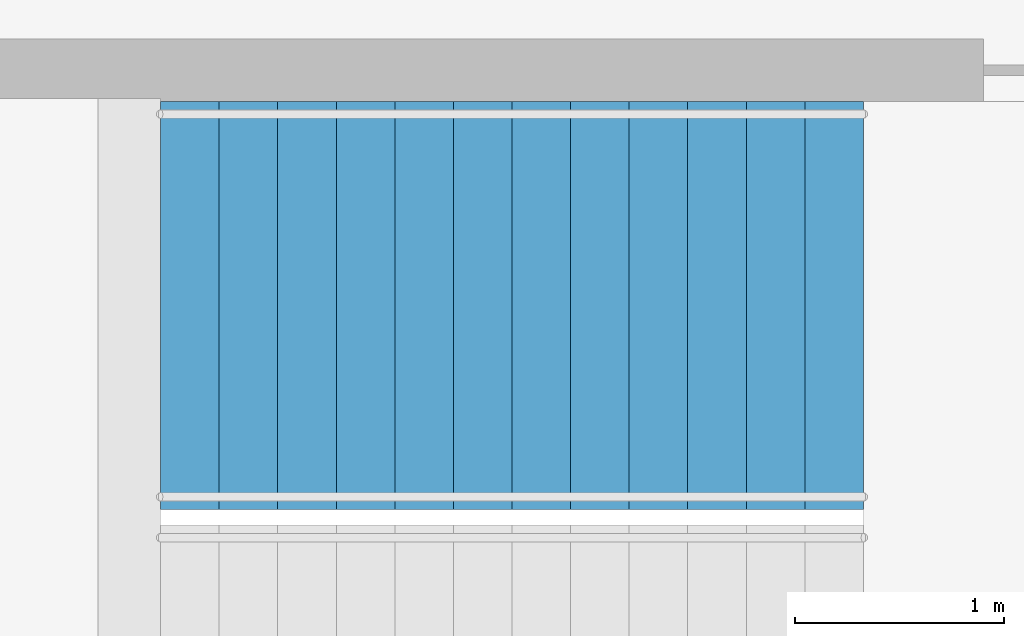
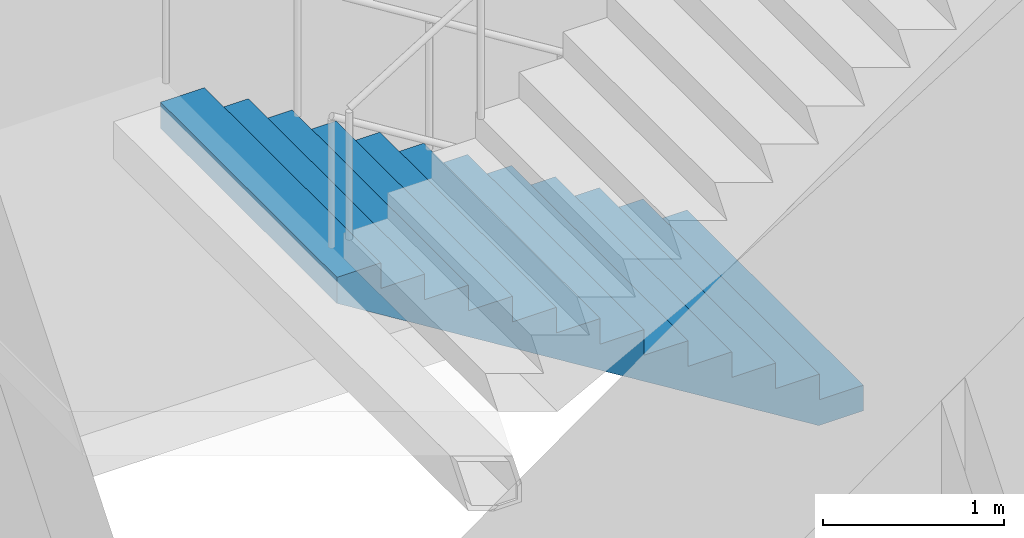
# One storey, part 21 of 31: 1 stair flight, 1 element without a shape of its own.
"""IFC4 building model written with IfcOpenShell, lengths in metres."""

from ifc_helpers import new_model, si_unit, direction, frame, origin, place, context, subcontext, project, spatial, triangles, material, type_object, element, aggregate, save


model = new_model("IFC4")

# Units and contexts
model_context = context("Model", 3, precision=1e-05, world=origin(), true_north=direction((0.0, 1.0)))
body_context = subcontext(model_context, "Body", "Model", "MODEL_VIEW")
ifc_project = project(units=[si_unit("LENGTHUNIT", "METRE"), si_unit("AREAUNIT", "SQUARE_METRE"), si_unit("VOLUMEUNIT", "CUBIC_METRE"), si_unit("PLANEANGLEUNIT", "RADIAN"), si_unit("MASSUNIT", "GRAM", prefix="KILO")], contexts=[model_context])

# Site, building, storey
site_placement = place(None, origin())
site = spatial("IfcSite", under=ifc_project, at=site_placement, CompositionType="ELEMENT")
building_placement = place(site_placement, origin())
building = spatial("IfcBuilding", under=site, at=building_placement, Name="Orbita Commons", CompositionType="ELEMENT")
storey_placement = place(building_placement, frame((0.0, 0.0, 76.14990234375)))
storey = spatial("IfcBuildingStorey", under=building, at=storey_placement, Name="L18", CompositionType="ELEMENT", Elevation=76.14990234375)

# Stair, stair flight
ifc_material_1 = material(Name="Precast concrete C40/50", Category="concrete")
stair_type = type_object("IfcStairType", Name="Exit stair S2 2 flights 13 risers 173", PredefinedType="HALF_TURN_STAIR", material=ifc_material_1)
stair_placement = place(storey_placement, origin())
stair = element("IfcStair", 1, at=stair_placement, inside=storey, type_object=stair_type, Name="Exit stair S2 L18", PredefinedType="HALF_TURN_STAIR")
ifc_material_2 = material(Name="Precast concrete C40/50", Category="concrete")
stair_flight_type = type_object("IfcStairFlightType", Name="Stair flight 13 risers 173 x 280", PredefinedType="STRAIGHT", material=ifc_material_2)
stair_flight_placement = place(storey_placement, frame((63.550048828125, 29.27490234375, 0.0), z_axis=(0.0, 0.0, 1.0), x_axis=(-1.0, 0.0, 0.0)))
stair_flight = element("IfcStairFlight", 2, at=stair_flight_placement, type_object=stair_flight_type, Name="S2 flight 1", NumberOfRisers=13, NumberOfTreads=12, PredefinedType="STRAIGHT", RiserHeight=0.173076923, TreadLength=0.28, context=body_context, shape_type="Tessellation", body=[
    triangles([(0.0, 0.974976, 0.0), (0.0, 0.974976, 0.021635), (0.0, 0.81248, 0.021635), (0.0, 0.81248, 0.0), (0.0, 0.649984, 0.021635), (0.0, 0.649984, 0.0), (0.0, 0.487488, 0.021635), (0.0, 0.487488, 0.0), (0.0, 0.324992, 0.021635), (0.0, 0.324992, 0.0), (0.0, 0.162496, 0.021635), (0.0, 0.162496, 0.0), (0.0, 0.0, 0.021635), (0.0, 0.0, 0.0), (0.0, -0.162496, 0.021635), (0.0, -0.162496, 0.0), (0.0, -0.324992, 0.021635), (0.0, -0.324992, 0.0), (0.0, -0.487488, 0.021635), (0.0, -0.487488, 0.0), (0.0, -0.649984, 0.021635), (0.0, -0.649984, 0.0), (0.0, -0.81248, 0.021635), (0.0, -0.81248, 0.0), (0.0, -0.974976, 0.021635), (0.0, -0.974976, 0.0), (0.0, 0.974976, 0.043269), (0.0, 0.81248, 0.043269), (0.0, 0.649984, 0.043269), (0.0, 0.487488, 0.043269), (0.0, 0.324992, 0.043269), (0.0, 0.162496, 0.043269), (0.0, 0.0, 0.043269), (0.0, -0.162496, 0.043269), (0.0, -0.324992, 0.043269), (0.0, -0.487488, 0.043269), (0.0, -0.649984, 0.043269), (0.0, -0.81248, 0.043269), (0.0, -0.974976, 0.043269), (0.0, 0.974976, 0.064904), (0.0, 0.81248, 0.064904), (0.0, 0.649984, 0.064904), (0.0, 0.487488, 0.064904), (0.0, 0.324992, 0.064904), (0.0, 0.162496, 0.064904), (0.0, 0.0, 0.064904), (0.0, -0.162496, 0.064904), (0.0, -0.324992, 0.064904), (0.0, -0.487488, 0.064904), (0.0, -0.649984, 0.064904), (0.0, -0.81248, 0.064904), (0.0, -0.974976, 0.064904), (0.0, 0.974976, 0.086538), (0.0, 0.81248, 0.086538), (0.0, 0.649984, 0.086538), (0.0, 0.487488, 0.086538), (0.0, 0.324992, 0.086538), (0.0, 0.162496, 0.086538), (0.0, 0.0, 0.086538), (0.0, -0.162496, 0.086538), (0.0, -0.324992, 0.086538), (0.0, -0.487488, 0.086538), (0.0, -0.649984, 0.086538), (0.0, -0.81248, 0.086538), (0.0, -0.974976, 0.086538), (0.0, 0.974976, 0.108173), (0.0, 0.81248, 0.108173), (0.0, 0.649984, 0.108173), (0.0, 0.487488, 0.108173), (0.0, 0.324992, 0.108173), (0.0, 0.162496, 0.108173), (0.0, 0.0, 0.108173), (0.0, -0.162496, 0.108173), (0.0, -0.324992, 0.108173), (0.0, -0.487488, 0.108173), (0.0, -0.649984, 0.108173), (0.0, -0.81248, 0.108173), (0.0, -0.974976, 0.108173), (0.0, 0.974976, 0.129808), (0.0, 0.81248, 0.129808), (0.0, 0.649984, 0.129808), (0.0, 0.487488, 0.129808), (0.0, 0.324992, 0.129808), (0.0, 0.162496, 0.129808), (0.0, 0.0, 0.129808), (0.0, -0.162496, 0.129808), (0.0, -0.324992, 0.129808), (0.0, -0.487488, 0.129808), (0.0, -0.649984, 0.129808), (0.0, -0.81248, 0.129808), (0.0, -0.974976, 0.129808), (0.0, 0.974976, 0.151442), (0.0, 0.81248, 0.151442), (0.0, 0.649984, 0.151442), (0.0, 0.487488, 0.151442), (0.0, 0.324992, 0.151442), (0.0, 0.162496, 0.151442), (0.0, 0.0, 0.151442), (0.0, -0.162496, 0.151442), (0.0, -0.324992, 0.151442), (0.0, -0.487488, 0.151442), (0.0, -0.649984, 0.151442), (0.0, -0.81248, 0.151442), (0.0, -0.974976, 0.151442), (0.0, 0.974976, 0.173077), (0.0, 0.81248, 0.173077), (0.0, 0.649984, 0.173077), (0.0, 0.487488, 0.173077), (0.0, 0.324992, 0.173077), (0.0, 0.162496, 0.173077), (0.0, 0.0, 0.173077), (0.0, -0.162496, 0.173077), (0.0, -0.324992, 0.173077), (0.0, -0.487488, 0.173077), (0.0, -0.649984, 0.173077), (0.0, -0.81248, 0.173077), (0.0, -0.974976, 0.173077), (0.28, 0.974976, 0.173077), (0.28, 0.81248, 0.173077), (0.28, 0.649984, 0.173077), (0.28, 0.487488, 0.173077), (0.28, 0.324992, 0.173077), (0.28, 0.162496, 0.173077), (0.28, 0.0, 0.173077), (0.28, -0.162496, 0.173077), (0.28, -0.324992, 0.173077), (0.28, -0.487488, 0.173077), (0.28, -0.649984, 0.173077), (0.28, -0.81248, 0.173077), (0.28, -0.974976, 0.173077), (0.28, 0.974976, 0.346154), (0.28, 0.81248, 0.346154), (0.28, 0.649984, 0.346154), (0.28, 0.487488, 0.346154), (0.28, 0.324992, 0.346154), (0.28, 0.162496, 0.346154), (0.28, 0.0, 0.346154), (0.28, -0.162496, 0.346154), (0.28, -0.324992, 0.346154), (0.28, -0.487488, 0.346154), (0.28, -0.649984, 0.346154), (0.28, -0.81248, 0.346154), (0.28, -0.974976, 0.346154), (0.56, 0.974976, 0.346154), (0.56, 0.81248, 0.346154), (0.56, 0.649984, 0.346154), (0.56, 0.487488, 0.346154), (0.56, 0.324992, 0.346154), (0.56, 0.162496, 0.346154), (0.56, 0.0, 0.346154), (0.56, -0.162496, 0.346154), (0.56, -0.324992, 0.346154), (0.56, -0.487488, 0.346154), (0.56, -0.649984, 0.346154), (0.56, -0.81248, 0.346154), (0.56, -0.974976, 0.346154), (0.56, 0.974976, 0.519231), (0.56, 0.81248, 0.519231), (0.56, 0.649984, 0.519231), (0.56, 0.487488, 0.519231), (0.56, 0.324992, 0.519231), (0.56, 0.162496, 0.519231), (0.56, 0.0, 0.519231), (0.56, -0.162496, 0.519231), (0.56, -0.324992, 0.519231), (0.56, -0.487488, 0.519231), (0.56, -0.649984, 0.519231), (0.56, -0.81248, 0.519231), (0.56, -0.974976, 0.519231), (0.84, 0.974976, 0.519231), (0.84, 0.81248, 0.519231), (0.84, 0.649984, 0.519231), (0.84, 0.487488, 0.519231), (0.84, 0.324992, 0.519231), (0.84, 0.162496, 0.519231), (0.84, 0.0, 0.519231), (0.84, -0.162496, 0.519231), (0.84, -0.324992, 0.519231), (0.84, -0.487488, 0.519231), (0.84, -0.649984, 0.519231), (0.84, -0.81248, 0.519231), (0.84, -0.974976, 0.519231), (0.84, 0.974976, 0.692308), (0.84, 0.81248, 0.692308), (0.84, 0.649984, 0.692308), (0.84, 0.487488, 0.692308), (0.84, 0.324992, 0.692308), (0.84, 0.162496, 0.692308), (0.84, 0.0, 0.692308), (0.84, -0.162496, 0.692308), (0.84, -0.324992, 0.692308), (0.84, -0.487488, 0.692308), (0.84, -0.649984, 0.692308), (0.84, -0.81248, 0.692308), (0.84, -0.974976, 0.692308), (1.12, 0.974976, 0.692308), (1.12, 0.81248, 0.692308), (1.12, 0.649984, 0.692308), (1.12, 0.487488, 0.692308), (1.12, 0.324992, 0.692308), (1.12, 0.162496, 0.692308), (1.12, 0.0, 0.692308), (1.12, -0.162496, 0.692308), (1.12, -0.324992, 0.692308), (1.12, -0.487488, 0.692308), (1.12, -0.649984, 0.692308), (1.12, -0.81248, 0.692308), (1.12, -0.974976, 0.692308), (1.12, 0.974976, 0.865385), (1.12, 0.81248, 0.865385), (1.12, 0.649984, 0.865385), (1.12, 0.487488, 0.865385), (1.12, 0.324992, 0.865385), (1.12, 0.162496, 0.865385), (1.12, 0.0, 0.865385), (1.12, -0.162496, 0.865385), (1.12, -0.324992, 0.865385), (1.12, -0.487488, 0.865385), (1.12, -0.649984, 0.865385), (1.12, -0.81248, 0.865385), (1.12, -0.974976, 0.865385), (1.4, 0.974976, 0.865385), (1.4, 0.81248, 0.865385), (1.4, 0.649984, 0.865385), (1.4, 0.487488, 0.865385), (1.4, 0.324992, 0.865385), (1.4, 0.162496, 0.865385), (1.4, 0.0, 0.865385), (1.4, -0.162496, 0.865385), (1.4, -0.324992, 0.865385), (1.4, -0.487488, 0.865385), (1.4, -0.649984, 0.865385), (1.4, -0.81248, 0.865385), (1.4, -0.974976, 0.865385), (1.4, 0.974976, 1.038462), (1.4, 0.81248, 1.038462), (1.4, 0.649984, 1.038462), (1.4, 0.487488, 1.038462), (1.4, 0.324992, 1.038462), (1.4, 0.162496, 1.038462), (1.4, 0.0, 1.038462), (1.4, -0.162496, 1.038462), (1.4, -0.324992, 1.038462), (1.4, -0.487488, 1.038462), (1.4, -0.649984, 1.038462), (1.4, -0.81248, 1.038462), (1.4, -0.974976, 1.038462), (1.68, 0.974976, 1.038462), (1.68, 0.81248, 1.038462), (1.68, 0.649984, 1.038462), (1.68, 0.487488, 1.038462), (1.68, 0.324992, 1.038462), (1.68, 0.162496, 1.038462), (1.68, 0.0, 1.038462), (1.68, -0.162496, 1.038462), (1.68, -0.324992, 1.038462), (1.68, -0.487488, 1.038462), (1.68, -0.649984, 1.038462), (1.68, -0.81248, 1.038462), (1.68, -0.974976, 1.038462), (1.68, 0.974976, 1.211538), (1.68, 0.81248, 1.211538), (1.68, 0.649984, 1.211538), (1.68, 0.487488, 1.211538), (1.68, 0.324992, 1.211538), (1.68, 0.162496, 1.211538), (1.68, 0.0, 1.211538), (1.68, -0.162496, 1.211538), (1.68, -0.324992, 1.211538), (1.68, -0.487488, 1.211538), (1.68, -0.649984, 1.211538), (1.68, -0.81248, 1.211538), (1.68, -0.974976, 1.211538), (1.96, 0.974976, 1.211538), (1.96, 0.81248, 1.211538), (1.96, 0.649984, 1.211538), (1.96, 0.487488, 1.211538), (1.96, 0.324992, 1.211538), (1.96, 0.162496, 1.211538), (1.96, 0.0, 1.211538), (1.96, -0.162496, 1.211538), (1.96, -0.324992, 1.211538), (1.96, -0.487488, 1.211538), (1.96, -0.649984, 1.211538), (1.96, -0.81248, 1.211538), (1.96, -0.974976, 1.211538), (1.96, 0.974976, 1.384615), (1.96, 0.81248, 1.384615), (1.96, 0.649984, 1.384615), (1.96, 0.487488, 1.384615), (1.96, 0.324992, 1.384615), (1.96, 0.162496, 1.384615), (1.96, 0.0, 1.384615), (1.96, -0.162496, 1.384615), (1.96, -0.324992, 1.384615), (1.96, -0.487488, 1.384615), (1.96, -0.649984, 1.384615), (1.96, -0.81248, 1.384615), (1.96, -0.974976, 1.384615), (2.24, 0.974976, 1.384615), (2.24, 0.81248, 1.384615), (2.24, 0.649984, 1.384615), (2.24, 0.487488, 1.384615), (2.24, 0.324992, 1.384615), (2.24, 0.162496, 1.384615), (2.24, 0.0, 1.384615), (2.24, -0.162496, 1.384615), (2.24, -0.324992, 1.384615), (2.24, -0.487488, 1.384615), (2.24, -0.649984, 1.384615), (2.24, -0.81248, 1.384615), (2.24, -0.974976, 1.384615), (2.24, 0.974976, 1.557692), (2.24, 0.81248, 1.557692), (2.24, 0.649984, 1.557692), (2.24, 0.487488, 1.557692), (2.24, 0.324992, 1.557692), (2.24, 0.162496, 1.557692), (2.24, 0.0, 1.557692), (2.24, -0.162496, 1.557692), (2.24, -0.324992, 1.557692), (2.24, -0.487488, 1.557692), (2.24, -0.649984, 1.557692), (2.24, -0.81248, 1.557692), (2.24, -0.974976, 1.557692), (2.52, 0.974976, 1.557692), (2.52, 0.81248, 1.557692), (2.52, 0.649984, 1.557692), (2.52, 0.487488, 1.557692), (2.52, 0.324992, 1.557692), (2.52, 0.162496, 1.557692), (2.52, 0.0, 1.557692), (2.52, -0.162496, 1.557692), (2.52, -0.324992, 1.557692), (2.52, -0.487488, 1.557692), (2.52, -0.649984, 1.557692), (2.52, -0.81248, 1.557692), (2.52, -0.974976, 1.557692), (2.52, 0.974976, 1.730769), (2.52, 0.81248, 1.730769), (2.52, 0.649984, 1.730769), (2.52, 0.487488, 1.730769), (2.52, 0.324992, 1.730769), (2.52, 0.162496, 1.730769), (2.52, 0.0, 1.730769), (2.52, -0.162496, 1.730769), (2.52, -0.324992, 1.730769), (2.52, -0.487488, 1.730769), (2.52, -0.649984, 1.730769), (2.52, -0.81248, 1.730769), (2.52, -0.974976, 1.730769), (2.8, 0.974976, 1.730769), (2.8, 0.81248, 1.730769), (2.8, 0.649984, 1.730769), (2.8, 0.487488, 1.730769), (2.8, 0.324992, 1.730769), (2.8, 0.162496, 1.730769), (2.8, 0.0, 1.730769), (2.8, -0.162496, 1.730769), (2.8, -0.324992, 1.730769), (2.8, -0.487488, 1.730769), (2.8, -0.649984, 1.730769), (2.8, -0.81248, 1.730769), (2.8, -0.974976, 1.730769), (2.8, 0.974976, 1.903846), (2.8, 0.81248, 1.903846), (2.8, 0.649984, 1.903846), (2.8, 0.487488, 1.903846), (2.8, 0.324992, 1.903846), (2.8, 0.162496, 1.903846), (2.8, 0.0, 1.903846), (2.8, -0.162496, 1.903846), (2.8, -0.324992, 1.903846), (2.8, -0.487488, 1.903846), (2.8, -0.649984, 1.903846), (2.8, -0.81248, 1.903846), (2.8, -0.974976, 1.903846), (3.08, 0.974976, 1.903846), (3.08, 0.81248, 1.903846), (3.08, 0.649984, 1.903846), (3.08, 0.487488, 1.903846), (3.08, 0.324992, 1.903846), (3.08, 0.162496, 1.903846), (3.08, 0.0, 1.903846), (3.08, -0.162496, 1.903846), (3.08, -0.324992, 1.903846), (3.08, -0.487488, 1.903846), (3.08, -0.649984, 1.903846), (3.08, -0.81248, 1.903846), (3.08, -0.974976, 1.903846), (3.08, 0.974976, 2.076923), (3.08, 0.81248, 2.076923), (3.08, 0.649984, 2.076923), (3.08, 0.487488, 2.076923), (3.08, 0.324992, 2.076923), (3.08, 0.162496, 2.076923), (3.08, 0.0, 2.076923), (3.08, -0.162496, 2.076923), (3.08, -0.324992, 2.076923), (3.08, -0.487488, 2.076923), (3.08, -0.649984, 2.076923), (3.08, -0.81248, 2.076923), (3.08, -0.974976, 2.076923), (3.36, 0.974976, 2.076923), (3.36, 0.81248, 2.076923), (3.36, 0.649984, 2.076923), (3.36, 0.487488, 2.076923), (3.36, 0.324992, 2.076923), (3.36, 0.162496, 2.076923), (3.36, 0.0, 2.076923), (3.36, -0.162496, 2.076923), (3.36, -0.324992, 2.076923), (3.36, -0.487488, 2.076923), (3.36, -0.649984, 2.076923), (3.36, -0.81248, 2.076923), (3.36, -0.974976, 2.076923), (3.36, 0.974976, 2.054895), (3.36, 0.81248, 2.054895), (3.36, 0.649984, 2.054895), (3.36, 0.487488, 2.054895), (3.36, 0.324992, 2.054895), (3.36, 0.162496, 2.054895), (3.36, 0.0, 2.054895), (3.36, -0.162496, 2.054895), (3.36, -0.324992, 2.054895), (3.36, -0.487488, 2.054895), (3.36, -0.649984, 2.054895), (3.36, -0.81248, 2.054895), (3.36, -0.974976, 2.054895), (3.36, 0.974976, 2.032866), (3.36, 0.81248, 2.032866), (3.36, 0.649984, 2.032866), (3.36, 0.487488, 2.032866), (3.36, 0.324992, 2.032866), (3.36, 0.162496, 2.032866), (3.36, 0.0, 2.032866), (3.36, -0.162496, 2.032866), (3.36, -0.324992, 2.032866), (3.36, -0.487488, 2.032866), (3.36, -0.649984, 2.032866), (3.36, -0.81248, 2.032866), (3.36, -0.974976, 2.032866), (3.36, 0.974976, 2.010837), (3.36, 0.81248, 2.010837), (3.36, 0.649984, 2.010837), (3.36, 0.487488, 2.010837), (3.36, 0.324992, 2.010837), (3.36, 0.162496, 2.010837), (3.36, 0.0, 2.010837), (3.36, -0.162496, 2.010837), (3.36, -0.324992, 2.010837), (3.36, -0.487488, 2.010837), (3.36, -0.649984, 2.010837), (3.36, -0.81248, 2.010837), (3.36, -0.974976, 2.010837), (3.36, 0.974976, 1.988809), (3.36, 0.81248, 1.988809), (3.36, 0.649984, 1.988809), (3.36, 0.487488, 1.988809), (3.36, 0.324992, 1.988809), (3.36, 0.162496, 1.988809), (3.36, 0.0, 1.988809), (3.36, -0.162496, 1.988809), (3.36, -0.324992, 1.988809), (3.36, -0.487488, 1.988809), (3.36, -0.649984, 1.988809), (3.36, -0.81248, 1.988809), (3.36, -0.974976, 1.988809), (3.36, 0.974976, 1.96678), (3.36, 0.81248, 1.96678), (3.36, 0.649984, 1.96678), (3.36, 0.487488, 1.96678), (3.36, 0.324992, 1.96678), (3.36, 0.162496, 1.96678), (3.36, 0.0, 1.96678), (3.36, -0.162496, 1.96678), (3.36, -0.324992, 1.96678), (3.36, -0.487488, 1.96678), (3.36, -0.649984, 1.96678), (3.36, -0.81248, 1.96678), (3.36, -0.974976, 1.96678), (3.36, 0.974976, 1.944752), (3.36, 0.81248, 1.944752), (3.36, 0.649984, 1.944752), (3.36, 0.487488, 1.944752), (3.36, 0.324992, 1.944752), (3.36, 0.162496, 1.944752), (3.36, 0.0, 1.944752), (3.36, -0.162496, 1.944752), (3.36, -0.324992, 1.944752), (3.36, -0.487488, 1.944752), (3.36, -0.649984, 1.944752), (3.36, -0.81248, 1.944752), (3.36, -0.974976, 1.944752), (3.36, 0.974976, 1.922723), (3.36, 0.81248, 1.922723), (3.36, 0.649984, 1.922723), (3.36, 0.487488, 1.922723), (3.36, 0.324992, 1.922723), (3.36, 0.162496, 1.922723), (3.36, 0.0, 1.922723), (3.36, -0.162496, 1.922723), (3.36, -0.324992, 1.922723), (3.36, -0.487488, 1.922723), (3.36, -0.649984, 1.922723), (3.36, -0.81248, 1.922723), (3.36, -0.974976, 1.922723), (3.36, 0.974976, 1.900695), (3.36, 0.81248, 1.900695), (3.36, 0.649984, 1.900695), (3.36, 0.487488, 1.900695), (3.36, 0.324992, 1.900695), (3.36, 0.162496, 1.900695), (3.36, 0.0, 1.900695), (3.36, -0.162496, 1.900695), (3.36, -0.324992, 1.900695), (3.36, -0.487488, 1.900695), (3.36, -0.649984, 1.900695), (3.36, -0.81248, 1.900695), (3.36, -0.974976, 1.900695), (0.285099, 0.974976, 0.0), (0.285099, 0.81248, 0.0), (0.285099, 0.649984, 0.0), (0.285099, 0.487488, 0.0), (0.285099, 0.324992, 0.0), (0.285099, 0.162496, 0.0), (0.285099, 0.0, 0.0), (0.285099, -0.162496, 0.0), (0.285099, -0.324992, 0.0), (0.285099, -0.487488, 0.0), (0.285099, -0.649984, 0.0), (0.285099, -0.81248, 0.0), (0.285099, -0.974976, 0.0)], [[3, 2, 1], [4, 3, 1], [5, 3, 4], [6, 5, 4], [7, 5, 6], [8, 7, 6], [9, 7, 8], [10, 9, 8], [11, 9, 10], [12, 11, 10], [13, 11, 12], [14, 13, 12], [15, 13, 14], [16, 15, 14], [17, 15, 16], [18, 17, 16], [19, 17, 18], [20, 19, 18], [21, 19, 20], [22, 21, 20], [23, 21, 22], [24, 23, 22], [25, 23, 24], [26, 25, 24], [28, 27, 2], [3, 28, 2], [29, 28, 3], [5, 29, 3], [30, 29, 5], [7, 30, 5], [31, 30, 7], [9, 31, 7], [32, 31, 9], [11, 32, 9], [33, 32, 11], [13, 33, 11], [34, 33, 13], [15, 34, 13], [35, 34, 15], [17, 35, 15], [36, 35, 17], [19, 36, 17], [37, 36, 19], [21, 37, 19], [38, 37, 21], [23, 38, 21], [39, 38, 23], [25, 39, 23], [41, 40, 27], [28, 41, 27], [42, 41, 28], [29, 42, 28], [43, 42, 29], [30, 43, 29], [44, 43, 30], [31, 44, 30], [45, 44, 31], [32, 45, 31], [46, 45, 32], [33, 46, 32], [47, 46, 33], [34, 47, 33], [48, 47, 34], [35, 48, 34], [49, 48, 35], [36, 49, 35], [50, 49, 36], [37, 50, 36], [51, 50, 37], [38, 51, 37], [52, 51, 38], [39, 52, 38], [54, 53, 40], [41, 54, 40], [55, 54, 41], [42, 55, 41], [56, 55, 42], [43, 56, 42], [57, 56, 43], [44, 57, 43], [58, 57, 44], [45, 58, 44], [59, 58, 45], [46, 59, 45], [60, 59, 46], [47, 60, 46], [61, 60, 47], [48, 61, 47], [62, 61, 48], [49, 62, 48], [63, 62, 49], [50, 63, 49], [64, 63, 50], [51, 64, 50], [65, 64, 51], [52, 65, 51], [67, 66, 53], [54, 67, 53], [68, 67, 54], [55, 68, 54], [69, 68, 55], [56, 69, 55], [70, 69, 56], [57, 70, 56], [71, 70, 57], [58, 71, 57], [72, 71, 58], [59, 72, 58], [73, 72, 59], [60, 73, 59], [74, 73, 60], [61, 74, 60], [75, 74, 61], [62, 75, 61], [76, 75, 62], [63, 76, 62], [77, 76, 63], [64, 77, 63], [78, 77, 64], [65, 78, 64], [80, 79, 66], [67, 80, 66], [81, 80, 67], [68, 81, 67], [82, 81, 68], [69, 82, 68], [83, 82, 69], [70, 83, 69], [84, 83, 70], [71, 84, 70], [85, 84, 71], [72, 85, 71], [86, 85, 72], [73, 86, 72], [87, 86, 73], [74, 87, 73], [88, 87, 74], [75, 88, 74], [89, 88, 75], [76, 89, 75], [90, 89, 76], [77, 90, 76], [91, 90, 77], [78, 91, 77], [93, 92, 79], [80, 93, 79], [94, 93, 80], [81, 94, 80], [95, 94, 81], [82, 95, 81], [96, 95, 82], [83, 96, 82], [97, 96, 83], [84, 97, 83], [98, 97, 84], [85, 98, 84], [99, 98, 85], [86, 99, 85], [100, 99, 86], [87, 100, 86], [101, 100, 87], [88, 101, 87], [102, 101, 88], [89, 102, 88], [103, 102, 89], [90, 103, 89], [104, 103, 90], [91, 104, 90], [106, 105, 92], [93, 106, 92], [107, 106, 93], [94, 107, 93], [108, 107, 94], [95, 108, 94], [109, 108, 95], [96, 109, 95], [110, 109, 96], [97, 110, 96], [111, 110, 97], [98, 111, 97], [112, 111, 98], [99, 112, 98], [113, 112, 99], [100, 113, 99], [114, 113, 100], [101, 114, 100], [115, 114, 101], [102, 115, 101], [116, 115, 102], [103, 116, 102], [117, 116, 103], [104, 117, 103], [119, 118, 105], [106, 119, 105], [120, 119, 106], [107, 120, 106], [121, 120, 107], [108, 121, 107], [122, 121, 108], [109, 122, 108], [123, 122, 109], [110, 123, 109], [124, 123, 110], [111, 124, 110], [125, 124, 111], [112, 125, 111], [126, 125, 112], [113, 126, 112], [127, 126, 113], [114, 127, 113], [128, 127, 114], [115, 128, 114], [129, 128, 115], [116, 129, 115], [130, 129, 116], [117, 130, 116], [132, 131, 118], [119, 132, 118], [133, 132, 119], [120, 133, 119], [134, 133, 120], [121, 134, 120], [135, 134, 121], [122, 135, 121], [136, 135, 122], [123, 136, 122], [137, 136, 123], [124, 137, 123], [138, 137, 124], [125, 138, 124], [139, 138, 125], [126, 139, 125], [140, 139, 126], [127, 140, 126], [141, 140, 127], [128, 141, 127], [142, 141, 128], [129, 142, 128], [143, 142, 129], [130, 143, 129], [145, 144, 131], [132, 145, 131], [146, 145, 132], [133, 146, 132], [147, 146, 133], [134, 147, 133], [148, 147, 134], [135, 148, 134], [149, 148, 135], [136, 149, 135], [150, 149, 136], [137, 150, 136], [151, 150, 137], [138, 151, 137], [152, 151, 138], [139, 152, 138], [153, 152, 139], [140, 153, 139], [154, 153, 140], [141, 154, 140], [155, 154, 141], [142, 155, 141], [156, 155, 142], [143, 156, 142], [158, 157, 144], [145, 158, 144], [159, 158, 145], [146, 159, 145], [160, 159, 146], [147, 160, 146], [161, 160, 147], [148, 161, 147], [162, 161, 148], [149, 162, 148], [163, 162, 149], [150, 163, 149], [164, 163, 150], [151, 164, 150], [165, 164, 151], [152, 165, 151], [166, 165, 152], [153, 166, 152], [167, 166, 153], [154, 167, 153], [168, 167, 154], [155, 168, 154], [169, 168, 155], [156, 169, 155], [171, 170, 157], [158, 171, 157], [172, 171, 158], [159, 172, 158], [173, 172, 159], [160, 173, 159], [174, 173, 160], [161, 174, 160], [175, 174, 161], [162, 175, 161], [176, 175, 162], [163, 176, 162], [177, 176, 163], [164, 177, 163], [178, 177, 164], [165, 178, 164], [179, 178, 165], [166, 179, 165], [180, 179, 166], [167, 180, 166], [181, 180, 167], [168, 181, 167], [182, 181, 168], [169, 182, 168], [184, 183, 170], [171, 184, 170], [185, 184, 171], [172, 185, 171], [186, 185, 172], [173, 186, 172], [187, 186, 173], [174, 187, 173], [188, 187, 174], [175, 188, 174], [189, 188, 175], [176, 189, 175], [190, 189, 176], [177, 190, 176], [191, 190, 177], [178, 191, 177], [192, 191, 178], [179, 192, 178], [193, 192, 179], [180, 193, 179], [194, 193, 180], [181, 194, 180], [195, 194, 181], [182, 195, 181], [197, 196, 183], [184, 197, 183], [198, 197, 184], [185, 198, 184], [199, 198, 185], [186, 199, 185], [200, 199, 186], [187, 200, 186], [201, 200, 187], [188, 201, 187], [202, 201, 188], [189, 202, 188], [203, 202, 189], [190, 203, 189], [204, 203, 190], [191, 204, 190], [205, 204, 191], [192, 205, 191], [206, 205, 192], [193, 206, 192], [207, 206, 193], [194, 207, 193], [208, 207, 194], [195, 208, 194], [210, 209, 196], [197, 210, 196], [211, 210, 197], [198, 211, 197], [212, 211, 198], [199, 212, 198], [213, 212, 199], [200, 213, 199], [214, 213, 200], [201, 214, 200], [215, 214, 201], [202, 215, 201], [216, 215, 202], [203, 216, 202], [217, 216, 203], [204, 217, 203], [218, 217, 204], [205, 218, 204], [219, 218, 205], [206, 219, 205], [220, 219, 206], [207, 220, 206], [221, 220, 207], [208, 221, 207], [223, 222, 209], [210, 223, 209], [224, 223, 210], [211, 224, 210], [225, 224, 211], [212, 225, 211], [226, 225, 212], [213, 226, 212], [227, 226, 213], [214, 227, 213], [228, 227, 214], [215, 228, 214], [229, 228, 215], [216, 229, 215], [230, 229, 216], [217, 230, 216], [231, 230, 217], [218, 231, 217], [232, 231, 218], [219, 232, 218], [233, 232, 219], [220, 233, 219], [234, 233, 220], [221, 234, 220], [236, 235, 222], [223, 236, 222], [237, 236, 223], [224, 237, 223], [238, 237, 224], [225, 238, 224], [239, 238, 225], [226, 239, 225], [240, 239, 226], [227, 240, 226], [241, 240, 227], [228, 241, 227], [242, 241, 228], [229, 242, 228], [243, 242, 229], [230, 243, 229], [244, 243, 230], [231, 244, 230], [245, 244, 231], [232, 245, 231], [246, 245, 232], [233, 246, 232], [247, 246, 233], [234, 247, 233], [249, 248, 235], [236, 249, 235], [250, 249, 236], [237, 250, 236], [251, 250, 237], [238, 251, 237], [252, 251, 238], [239, 252, 238], [253, 252, 239], [240, 253, 239], [254, 253, 240], [241, 254, 240], [255, 254, 241], [242, 255, 241], [256, 255, 242], [243, 256, 242], [257, 256, 243], [244, 257, 243], [258, 257, 244], [245, 258, 244], [259, 258, 245], [246, 259, 245], [260, 259, 246], [247, 260, 246], [262, 261, 248], [249, 262, 248], [263, 262, 249], [250, 263, 249], [264, 263, 250], [251, 264, 250], [265, 264, 251], [252, 265, 251], [266, 265, 252], [253, 266, 252], [267, 266, 253], [254, 267, 253], [268, 267, 254], [255, 268, 254], [269, 268, 255], [256, 269, 255], [270, 269, 256], [257, 270, 256], [271, 270, 257], [258, 271, 257], [272, 271, 258], [259, 272, 258], [273, 272, 259], [260, 273, 259], [275, 274, 261], [262, 275, 261], [276, 275, 262], [263, 276, 262], [277, 276, 263], [264, 277, 263], [278, 277, 264], [265, 278, 264], [279, 278, 265], [266, 279, 265], [280, 279, 266], [267, 280, 266], [281, 280, 267], [268, 281, 267], [282, 281, 268], [269, 282, 268], [283, 282, 269], [270, 283, 269], [284, 283, 270], [271, 284, 270], [285, 284, 271], [272, 285, 271], [286, 285, 272], [273, 286, 272], [288, 287, 274], [275, 288, 274], [289, 288, 275], [276, 289, 275], [290, 289, 276], [277, 290, 276], [291, 290, 277], [278, 291, 277], [292, 291, 278], [279, 292, 278], [293, 292, 279], [280, 293, 279], [294, 293, 280], [281, 294, 280], [295, 294, 281], [282, 295, 281], [296, 295, 282], [283, 296, 282], [297, 296, 283], [284, 297, 283], [298, 297, 284], [285, 298, 284], [299, 298, 285], [286, 299, 285], [301, 300, 287], [288, 301, 287], [302, 301, 288], [289, 302, 288], [303, 302, 289], [290, 303, 289], [304, 303, 290], [291, 304, 290], [305, 304, 291], [292, 305, 291], [306, 305, 292], [293, 306, 292], [307, 306, 293], [294, 307, 293], [308, 307, 294], [295, 308, 294], [309, 308, 295], [296, 309, 295], [310, 309, 296], [297, 310, 296], [311, 310, 297], [298, 311, 297], [312, 311, 298], [299, 312, 298], [314, 313, 300], [301, 314, 300], [315, 314, 301], [302, 315, 301], [316, 315, 302], [303, 316, 302], [317, 316, 303], [304, 317, 303], [318, 317, 304], [305, 318, 304], [319, 318, 305], [306, 319, 305], [320, 319, 306], [307, 320, 306], [321, 320, 307], [308, 321, 307], [322, 321, 308], [309, 322, 308], [323, 322, 309], [310, 323, 309], [324, 323, 310], [311, 324, 310], [325, 324, 311], [312, 325, 311], [327, 326, 313], [314, 327, 313], [328, 327, 314], [315, 328, 314], [329, 328, 315], [316, 329, 315], [330, 329, 316], [317, 330, 316], [331, 330, 317], [318, 331, 317], [332, 331, 318], [319, 332, 318], [333, 332, 319], [320, 333, 319], [334, 333, 320], [321, 334, 320], [335, 334, 321], [322, 335, 321], [336, 335, 322], [323, 336, 322], [337, 336, 323], [324, 337, 323], [338, 337, 324], [325, 338, 324], [340, 339, 326], [327, 340, 326], [341, 340, 327], [328, 341, 327], [342, 341, 328], [329, 342, 328], [343, 342, 329], [330, 343, 329], [344, 343, 330], [331, 344, 330], [345, 344, 331], [332, 345, 331], [346, 345, 332], [333, 346, 332], [347, 346, 333], [334, 347, 333], [348, 347, 334], [335, 348, 334], [349, 348, 335], [336, 349, 335], [350, 349, 336], [337, 350, 336], [351, 350, 337], [338, 351, 337], [353, 352, 339], [340, 353, 339], [354, 353, 340], [341, 354, 340], [355, 354, 341], [342, 355, 341], [356, 355, 342], [343, 356, 342], [357, 356, 343], [344, 357, 343], [358, 357, 344], [345, 358, 344], [359, 358, 345], [346, 359, 345], [360, 359, 346], [347, 360, 346], [361, 360, 347], [348, 361, 347], [362, 361, 348], [349, 362, 348], [363, 362, 349], [350, 363, 349], [364, 363, 350], [351, 364, 350], [366, 365, 352], [353, 366, 352], [367, 366, 353], [354, 367, 353], [368, 367, 354], [355, 368, 354], [369, 368, 355], [356, 369, 355], [370, 369, 356], [357, 370, 356], [371, 370, 357], [358, 371, 357], [372, 371, 358], [359, 372, 358], [373, 372, 359], [360, 373, 359], [374, 373, 360], [361, 374, 360], [375, 374, 361], [362, 375, 361], [376, 375, 362], [363, 376, 362], [377, 376, 363], [364, 377, 363], [379, 378, 365], [366, 379, 365], [380, 379, 366], [367, 380, 366], [381, 380, 367], [368, 381, 367], [382, 381, 368], [369, 382, 368], [383, 382, 369], [370, 383, 369], [384, 383, 370], [371, 384, 370], [385, 384, 371], [372, 385, 371], [386, 385, 372], [373, 386, 372], [387, 386, 373], [374, 387, 373], [388, 387, 374], [375, 388, 374], [389, 388, 375], [376, 389, 375], [390, 389, 376], [377, 390, 376], [392, 391, 378], [379, 392, 378], [393, 392, 379], [380, 393, 379], [394, 393, 380], [381, 394, 380], [395, 394, 381], [382, 395, 381], [396, 395, 382], [383, 396, 382], [397, 396, 383], [384, 397, 383], [398, 397, 384], [385, 398, 384], [399, 398, 385], [386, 399, 385], [400, 399, 386], [387, 400, 386], [401, 400, 387], [388, 401, 387], [402, 401, 388], [389, 402, 388], [403, 402, 389], [390, 403, 389], [405, 404, 391], [392, 405, 391], [406, 405, 392], [393, 406, 392], [407, 406, 393], [394, 407, 393], [408, 407, 394], [395, 408, 394], [409, 408, 395], [396, 409, 395], [410, 409, 396], [397, 410, 396], [411, 410, 397], [398, 411, 397], [412, 411, 398], [399, 412, 398], [413, 412, 399], [400, 413, 399], [414, 413, 400], [401, 414, 400], [415, 414, 401], [402, 415, 401], [416, 415, 402], [403, 416, 402], [418, 417, 404], [405, 418, 404], [419, 418, 405], [406, 419, 405], [420, 419, 406], [407, 420, 406], [421, 420, 407], [408, 421, 407], [422, 421, 408], [409, 422, 408], [423, 422, 409], [410, 423, 409], [424, 423, 410], [411, 424, 410], [425, 424, 411], [412, 425, 411], [426, 425, 412], [413, 426, 412], [427, 426, 413], [414, 427, 413], [428, 427, 414], [415, 428, 414], [429, 428, 415], [416, 429, 415], [431, 430, 417], [418, 431, 417], [432, 431, 418], [419, 432, 418], [433, 432, 419], [420, 433, 419], [434, 433, 420], [421, 434, 420], [435, 434, 421], [422, 435, 421], [436, 435, 422], [423, 436, 422], [437, 436, 423], [424, 437, 423], [438, 437, 424], [425, 438, 424], [439, 438, 425], [426, 439, 425], [440, 439, 426], [427, 440, 426], [441, 440, 427], [428, 441, 427], [442, 441, 428], [429, 442, 428], [444, 443, 430], [431, 444, 430], [445, 444, 431], [432, 445, 431], [446, 445, 432], [433, 446, 432], [447, 446, 433], [434, 447, 433], [448, 447, 434], [435, 448, 434], [449, 448, 435], [436, 449, 435], [450, 449, 436], [437, 450, 436], [451, 450, 437], [438, 451, 437], [452, 451, 438], [439, 452, 438], [453, 452, 439], [440, 453, 439], [454, 453, 440], [441, 454, 440], [455, 454, 441], [442, 455, 441], [457, 456, 443], [444, 457, 443], [458, 457, 444], [445, 458, 444], [459, 458, 445], [446, 459, 445], [460, 459, 446], [447, 460, 446], [461, 460, 447], [448, 461, 447], [462, 461, 448], [449, 462, 448], [463, 462, 449], [450, 463, 449], [464, 463, 450], [451, 464, 450], [465, 464, 451], [452, 465, 451], [466, 465, 452], [453, 466, 452], [467, 466, 453], [454, 467, 453], [468, 467, 454], [455, 468, 454], [470, 469, 456], [457, 470, 456], [471, 470, 457], [458, 471, 457], [472, 471, 458], [459, 472, 458], [473, 472, 459], [460, 473, 459], [474, 473, 460], [461, 474, 460], [475, 474, 461], [462, 475, 461], [476, 475, 462], [463, 476, 462], [477, 476, 463], [464, 477, 463], [478, 477, 464], [465, 478, 464], [479, 478, 465], [466, 479, 465], [480, 479, 466], [467, 480, 466], [481, 480, 467], [468, 481, 467], [483, 482, 469], [470, 483, 469], [484, 483, 470], [471, 484, 470], [485, 484, 471], [472, 485, 471], [486, 485, 472], [473, 486, 472], [487, 486, 473], [474, 487, 473], [488, 487, 474], [475, 488, 474], [489, 488, 475], [476, 489, 475], [490, 489, 476], [477, 490, 476], [491, 490, 477], [478, 491, 477], [492, 491, 478], [479, 492, 478], [493, 492, 479], [480, 493, 479], [494, 493, 480], [481, 494, 480], [496, 495, 482], [483, 496, 482], [497, 496, 483], [484, 497, 483], [498, 497, 484], [485, 498, 484], [499, 498, 485], [486, 499, 485], [500, 499, 486], [487, 500, 486], [501, 500, 487], [488, 501, 487], [502, 501, 488], [489, 502, 488], [503, 502, 489], [490, 503, 489], [504, 503, 490], [491, 504, 490], [505, 504, 491], [492, 505, 491], [506, 505, 492], [493, 506, 492], [507, 506, 493], [494, 507, 493], [509, 508, 495], [496, 509, 495], [510, 509, 496], [497, 510, 496], [511, 510, 497], [498, 511, 497], [512, 511, 498], [499, 512, 498], [513, 512, 499], [500, 513, 499], [514, 513, 500], [501, 514, 500], [515, 514, 501], [502, 515, 501], [516, 515, 502], [503, 516, 502], [517, 516, 503], [504, 517, 503], [518, 517, 504], [505, 518, 504], [519, 518, 505], [506, 519, 505], [520, 519, 506], [507, 520, 506], [522, 521, 508], [509, 522, 508], [523, 522, 509], [510, 523, 509], [524, 523, 510], [511, 524, 510], [525, 524, 511], [512, 525, 511], [526, 525, 512], [513, 526, 512], [527, 526, 513], [514, 527, 513], [528, 527, 514], [515, 528, 514], [529, 528, 515], [516, 529, 515], [530, 529, 516], [517, 530, 516], [531, 530, 517], [518, 531, 517], [532, 531, 518], [519, 532, 518], [533, 532, 519], [520, 533, 519], [4, 1, 521], [522, 4, 521], [6, 4, 522], [523, 6, 522], [8, 6, 523], [524, 8, 523], [10, 8, 524], [525, 10, 524], [12, 10, 525], [526, 12, 525], [14, 12, 526], [527, 14, 526], [16, 14, 527], [528, 16, 527], [18, 16, 528], [529, 18, 528], [20, 18, 529], [530, 20, 529], [22, 20, 530], [531, 22, 530], [24, 22, 531], [532, 24, 531], [26, 24, 532], [533, 26, 532], [508, 521, 1], [26, 533, 520], [495, 508, 1], [26, 520, 507], [482, 495, 1], [26, 507, 494], [469, 482, 1], [26, 494, 481], [456, 469, 1], [26, 481, 468], [443, 456, 1], [26, 468, 455], [430, 443, 1], [26, 455, 442], [417, 430, 1], [26, 442, 429], [391, 404, 417], [429, 416, 403], [378, 391, 417], [429, 403, 390], [352, 365, 378], [390, 377, 364], [352, 378, 417], [429, 390, 364], [326, 339, 352], [364, 351, 338], [326, 352, 417], [429, 364, 338], [300, 313, 326], [338, 325, 312], [300, 326, 417], [429, 338, 312], [274, 287, 300], [312, 299, 286], [274, 300, 417], [429, 312, 286], [248, 261, 274], [286, 273, 260], [248, 274, 417], [429, 286, 260], [222, 235, 248], [260, 247, 234], [222, 248, 417], [429, 260, 234], [196, 209, 222], [234, 221, 208], [196, 222, 417], [429, 234, 208], [170, 183, 196], [208, 195, 182], [170, 196, 417], [429, 208, 182], [144, 157, 170], [182, 169, 156], [144, 170, 417], [429, 182, 156], [118, 131, 144], [156, 143, 130], [118, 144, 417], [429, 156, 130], [118, 417, 1], [26, 429, 130], [92, 105, 118], [130, 117, 104], [79, 92, 118], [130, 104, 91], [66, 79, 118], [130, 91, 78], [53, 66, 118], [130, 78, 65], [40, 53, 118], [130, 65, 52], [27, 40, 118], [130, 52, 39], [2, 27, 118], [130, 39, 25], [1, 2, 118], [130, 25, 26]], closed=True),
])
aggregate(stair, [stair_flight])

save(model, "model.ifc")
